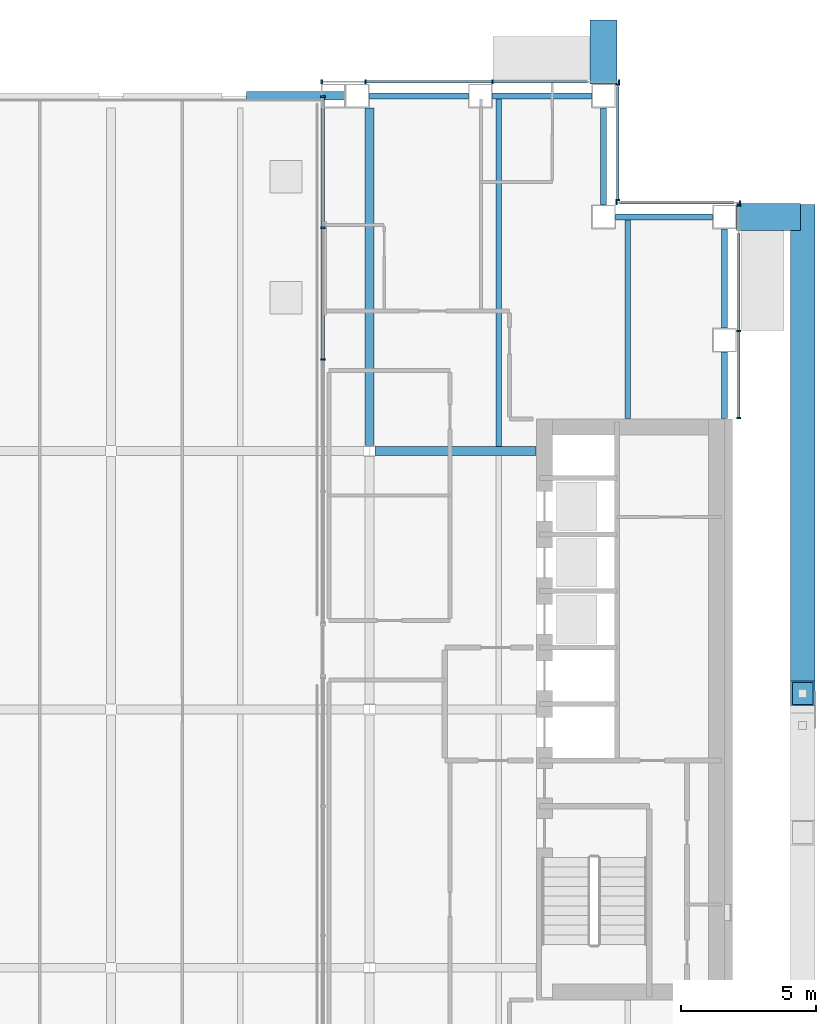
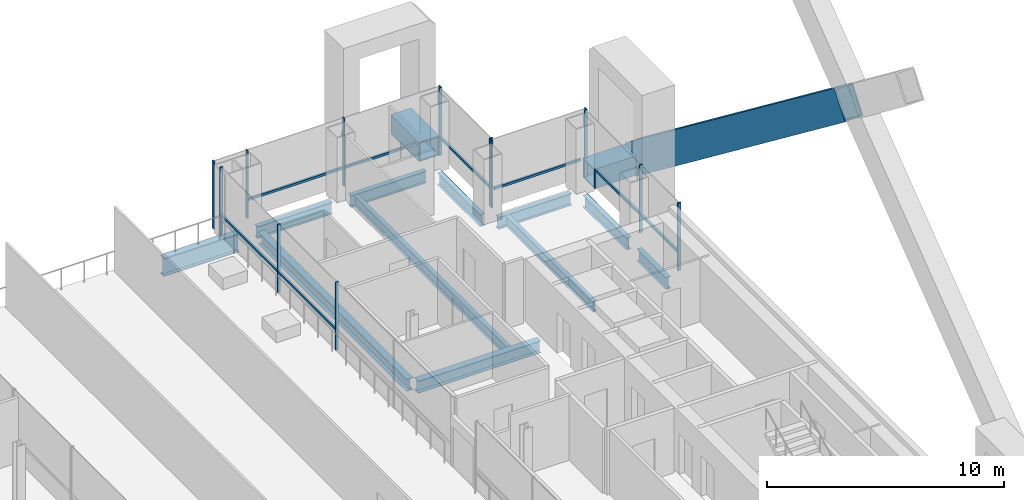
# One storey, part 10 of 20: 23 members, 13 beams, 5 elements without a shape of their own.
"""IFC4 building model written with IfcOpenShell, lengths in metres."""

from ifc_helpers import new_model, si_unit, direction, frame, origin, origin_2d, place, context, subcontext, project, spatial, rectangle, hollow_rectangle, i_section, extrude, material, material_profile, profile_set, type_object, element, aggregate, save


model = new_model("IFC4")

# Units and contexts
model_context = context("Model", 3, precision=1e-05, world=origin(), true_north=direction((0.0, 1.0)))
body_context = subcontext(model_context, "Body", "Model", "MODEL_VIEW")
ifc_project = project(units=[si_unit("LENGTHUNIT", "METRE"), si_unit("AREAUNIT", "SQUARE_METRE"), si_unit("VOLUMEUNIT", "CUBIC_METRE"), si_unit("PLANEANGLEUNIT", "RADIAN"), si_unit("MASSUNIT", "GRAM", prefix="KILO")], contexts=[model_context])

# Site, building, storey
site_placement = place(None, origin())
site = spatial("IfcSite", under=ifc_project, at=site_placement, CompositionType="ELEMENT")
building_placement = place(site_placement, origin())
building = spatial("IfcBuilding", under=site, at=building_placement, Name="Cobrizo Arcos Hotel Tower", CompositionType="ELEMENT")
storey_placement = place(building_placement, frame((0.0, 0.0, 117.0)))
storey = spatial("IfcBuildingStorey", under=building, at=storey_placement, Name="L29", CompositionType="ELEMENT", Elevation=117.0)

# Beams
ifc_material_1 = material(Name="Steel ASTM A572 Grade 50", Category="steel")
ifc_material_profile_1 = material_profile(ifc_material_1, hollow_rectangle(XDim=1.0, YDim=1.0, WallThickness=0.06005859375, at=origin_2d()), Name="BOX 1000X1000X60")
ifc_profile_set_1 = profile_set([ifc_material_profile_1], Name="Steel ASTM A572 Grade 50")
beam_type_1 = type_object("IfcBeamType", Name="BOX 1000X1000X60 brace connector strut", PredefinedType="BEAM", material=ifc_profile_set_1)
for number, where, z_axis, x_axis, name in (
    (1, (18.300048828125, 23.239990234375, 0.5), (0.0, 1.0, 0.0), (-1.0, 0.0, 0.0), "Perimeter brace stub BS1, zone Z2, north face, offset +18.30 m, L29"),
    (2, (23.239990234375, 18.300048828125, 0.5), (1.0, 0.0, 0.0), (0.0, 1.0, 0.0), "Perimeter brace stub BS1, zone Z2, east face, offset +18.30 m, L29"),
):
    element("IfcBeam", number, at=place(storey_placement, frame(where, z_axis=z_axis, x_axis=x_axis)), inside=storey, type_object=beam_type_1, Name=name, PredefinedType="BEAM", context=body_context, shape_type="SweptSolid", body=[
        extrude(hollow_rectangle(XDim=1.0, YDim=1.0, WallThickness=0.06005859375, at=origin_2d()), origin(), (0.0, 0.0, 1.0), 2.380126953125),
    ])

# Member
ifc_material_profile_2 = material_profile(ifc_material_1, hollow_rectangle(XDim=0.89990234375, YDim=1.5, WallThickness=0.06494140625, at=origin_2d()), Name="BOX 900X1500X65")
ifc_profile_set_2 = profile_set([ifc_material_profile_2], Name="Steel ASTM A572 Grade 50")
member_type_1 = type_object("IfcMemberType", Name="BOX 900X1500X65 perimeter brace", PredefinedType="BRACE", material=ifc_profile_set_2)
member_1_placement = place(storey_placement, frame((25.699951171875, 18.300048828125, 0.5), z_axis=(0.0, -0.79423534856, 0.607610246044), x_axis=(1.0, 0.0, 0.0)))
element("IfcMember", 3, at=member_1_placement, inside=storey, type_object=member_type_1, Name="Perimeter brace PBR2, zone Z2, east face, no. 05", PredefinedType="BRACE", context=body_context, shape_type="SweptSolid", body=[
    extrude(hollow_rectangle(XDim=0.89990234375, YDim=1.5, WallThickness=0.06494140625, at=origin_2d()), origin(), (0.0, 0.0, 1.0), 22.294189453125),
])

# Curtain wall, members
ifc_material_2 = material(Name="Aluminium 6063-T6 anodised bronze", Category="aluminium")
curtain_wall_type_1 = type_object("IfcCurtainWallType", Name="CW-A guest facade", PredefinedType="NOTDEFINED", material=ifc_material_2)
curtain_wall_1_placement = place(storey_placement, origin())
curtain_wall_1 = element("IfcCurtainWall", 4, at=curtain_wall_1_placement, inside=storey, type_object=curtain_wall_type_1, Name="CW-A L29 E face", PredefinedType="NOTDEFINED")
ifc_material_profile_3 = material_profile(ifc_material_2, rectangle(XDim=0.14990234375, YDim=0.06005859375, at=origin_2d()), Name="CW-A mullion 150x60")
ifc_profile_set_3 = profile_set([ifc_material_profile_3], Name="Aluminium 6063-T6 anodised bronze")
member_type_2 = type_object("IfcMemberType", Name="CW-A mullion 150x60", PredefinedType="MULLION", material=ifc_profile_set_3)
member_2_placement = place(storey_placement, frame((23.324951171875, 10.830078125, 0.0), z_axis=(0.0, 0.0, 1.0), x_axis=(1.0, 0.0, 0.0)))
member_2 = element("IfcMember", 5, at=member_2_placement, type_object=member_type_2, Name="CW-A mullion 1", PredefinedType="MULLION", context=body_context, shape_type="SweptSolid", body=[
    extrude(rectangle(XDim=0.14990234375, YDim=0.06005859375, at=origin_2d()), origin(), (0.0, 0.0, 1.0), 3.5),
])
member_3_placement = place(storey_placement, frame((23.324951171875, 14.0625, 0.0), z_axis=(0.0, 0.0, 1.0), x_axis=(1.0, 0.0, 0.0)))
member_3 = element("IfcMember", 6, at=member_3_placement, type_object=member_type_2, Name="CW-A mullion 2", PredefinedType="MULLION", context=body_context, shape_type="SweptSolid", body=[
    extrude(rectangle(XDim=0.14990234375, YDim=0.06005859375, at=origin_2d()), origin(), (0.0, 0.0, 1.0), 3.5),
])
member_4_placement = place(storey_placement, frame((23.324951171875, 18.719970703125, 0.0), z_axis=(0.0, 0.0, 1.0), x_axis=(1.0, 0.0, 0.0)))
member_4 = element("IfcMember", 7, at=member_4_placement, type_object=member_type_2, Name="CW-A mullion 3", PredefinedType="MULLION", context=body_context, shape_type="SweptSolid", body=[
    extrude(rectangle(XDim=0.14990234375, YDim=0.06005859375, at=origin_2d()), origin(), (0.0, 0.0, 1.0), 3.5),
])

curtain_wall_2_placement = place(storey_placement, origin())
curtain_wall_2 = element("IfcCurtainWall", 8, at=curtain_wall_2_placement, inside=storey, type_object=curtain_wall_type_1, Name="CW-A L29 N face", PredefinedType="NOTDEFINED")
member_5_placement = place(storey_placement, frame((23.3701171875, 18.824951171875, 0.0), z_axis=(0.0, 0.0, 1.0), x_axis=(0.0, 1.0, 0.0)))
member_5 = element("IfcMember", 9, at=member_5_placement, type_object=member_type_2, Name="CW-A mullion 1", PredefinedType="MULLION", context=body_context, shape_type="SweptSolid", body=[
    extrude(rectangle(XDim=0.14990234375, YDim=0.06005859375, at=origin_2d()), origin(), (0.0, 0.0, 1.0), 3.5),
])
member_6_placement = place(storey_placement, frame((18.780029296875, 18.824951171875, 0.0), z_axis=(0.0, 0.0, 1.0), x_axis=(0.0, 1.0, 0.0)))
member_6 = element("IfcMember", 10, at=member_6_placement, type_object=member_type_2, Name="CW-A mullion 2", PredefinedType="MULLION", context=body_context, shape_type="SweptSolid", body=[
    extrude(rectangle(XDim=0.14990234375, YDim=0.06005859375, at=origin_2d()), origin(), (0.0, 0.0, 1.0), 3.5),
])

curtain_wall_3_placement = place(storey_placement, origin())
curtain_wall_3 = element("IfcCurtainWall", 11, at=curtain_wall_3_placement, inside=storey, type_object=curtain_wall_type_1, Name="CW-A L29 E face", PredefinedType="NOTDEFINED")
member_7_placement = place(storey_placement, frame((18.824951171875, 18.929931640625, 0.0), z_axis=(0.0, 0.0, 1.0), x_axis=(1.0, 0.0, 0.0)))
member_7 = element("IfcMember", 12, at=member_7_placement, type_object=member_type_2, Name="CW-A mullion 1", PredefinedType="MULLION", context=body_context, shape_type="SweptSolid", body=[
    extrude(rectangle(XDim=0.14990234375, YDim=0.06005859375, at=origin_2d()), origin(), (0.0, 0.0, 1.0), 3.5),
])
member_8_placement = place(storey_placement, frame((18.824951171875, 23.219970703125, 0.0), z_axis=(0.0, 0.0, 1.0), x_axis=(1.0, 0.0, 0.0)))
member_8 = element("IfcMember", 13, at=member_8_placement, type_object=member_type_2, Name="CW-A mullion 2", PredefinedType="MULLION", context=body_context, shape_type="SweptSolid", body=[
    extrude(rectangle(XDim=0.14990234375, YDim=0.06005859375, at=origin_2d()), origin(), (0.0, 0.0, 1.0), 3.5),
])

curtain_wall_4_placement = place(storey_placement, origin())
curtain_wall_4 = element("IfcCurtainWall", 14, at=curtain_wall_4_placement, inside=storey, type_object=curtain_wall_type_1, Name="CW-A L29 N face", PredefinedType="NOTDEFINED")
member_9_placement = place(storey_placement, frame((18.8701171875, 23.324951171875, 0.0), z_axis=(0.0, 0.0, 1.0), x_axis=(0.0, 1.0, 0.0)))
member_9 = element("IfcMember", 15, at=member_9_placement, type_object=member_type_2, Name="CW-A mullion 1", PredefinedType="MULLION", context=body_context, shape_type="SweptSolid", body=[
    extrude(rectangle(XDim=0.14990234375, YDim=0.06005859375, at=origin_2d()), origin(), (0.0, 0.0, 1.0), 3.5),
])
member_10_placement = place(storey_placement, frame((14.175048828125, 23.324951171875, 0.0), z_axis=(0.0, 0.0, 1.0), x_axis=(0.0, 1.0, 0.0)))
member_10 = element("IfcMember", 16, at=member_10_placement, type_object=member_type_2, Name="CW-A mullion 2", PredefinedType="MULLION", context=body_context, shape_type="SweptSolid", body=[
    extrude(rectangle(XDim=0.14990234375, YDim=0.06005859375, at=origin_2d()), origin(), (0.0, 0.0, 1.0), 3.5),
])
member_11_placement = place(storey_placement, frame((9.449951171875, 23.324951171875, 0.0), z_axis=(0.0, 0.0, 1.0), x_axis=(0.0, 1.0, 0.0)))
member_11 = element("IfcMember", 17, at=member_11_placement, type_object=member_type_2, Name="CW-A mullion 3", PredefinedType="MULLION", context=body_context, shape_type="SweptSolid", body=[
    extrude(rectangle(XDim=0.14990234375, YDim=0.06005859375, at=origin_2d()), origin(), (0.0, 0.0, 1.0), 3.5),
])
member_12_placement = place(storey_placement, frame((7.830078125, 23.324951171875, 0.0), z_axis=(0.0, 0.0, 1.0), x_axis=(0.0, 1.0, 0.0)))
member_12 = element("IfcMember", 18, at=member_12_placement, type_object=member_type_2, Name="CW-A mullion 4", PredefinedType="MULLION", context=body_context, shape_type="SweptSolid", body=[
    extrude(rectangle(XDim=0.14990234375, YDim=0.06005859375, at=origin_2d()), origin(), (0.0, 0.0, 1.0), 3.5),
])

# Member
ifc_material_profile_4 = material_profile(ifc_material_2, rectangle(XDim=0.10009765625, YDim=0.1201171875, at=origin_2d()), Name="CW-A transom 120x100")
ifc_profile_set_4 = profile_set([ifc_material_profile_4], Name="Aluminium 6063-T6 anodised bronze")
member_type_3 = type_object("IfcMemberType", Name="CW-A transom 120x100", PredefinedType="USERDEFINED", material=ifc_profile_set_4)
member_13_placement = place(storey_placement, frame((23.324951171875, 10.860107421875, 0.929931640625), z_axis=(0.0, 1.0, 0.0), x_axis=(-1.0, 0.0, 0.0)))
member_13 = element("IfcMember", 19, at=member_13_placement, type_object=member_type_3, Name="CW-A transom 1117", ObjectType="TRANSOM", PredefinedType="USERDEFINED", context=body_context, shape_type="SweptSolid", body=[
    extrude(rectangle(XDim=0.10009765625, YDim=0.1201171875, at=origin_2d()), origin(), (0.0, 0.0, 1.0), 3.17236328125),
])

member_14_placement = place(storey_placement, frame((23.324951171875, 14.092529296875, 0.929931640625), z_axis=(0.0, 1.0, 0.0), x_axis=(-1.0, 0.0, 0.0)))
member_14 = element("IfcMember", 20, at=member_14_placement, type_object=member_type_3, Name="CW-A transom 1118", ObjectType="TRANSOM", PredefinedType="USERDEFINED", context=body_context, shape_type="SweptSolid", body=[
    extrude(rectangle(XDim=0.10009765625, YDim=0.1201171875, at=origin_2d()), origin(), (0.0, 0.0, 1.0), 3.607421875),
])

aggregate(curtain_wall_1, [member_2, member_3, member_4, member_13, member_14])

member_15_placement = place(storey_placement, frame((23.139892578125, 18.824951171875, 0.929931640625), z_axis=(-1.0, 0.0, 0.0), x_axis=(0.0, -1.0, 0.0)))
member_15 = element("IfcMember", 21, at=member_15_placement, type_object=member_type_3, Name="CW-A transom 1119", ObjectType="TRANSOM", PredefinedType="USERDEFINED", context=body_context, shape_type="SweptSolid", body=[
    extrude(rectangle(XDim=0.10009765625, YDim=0.1201171875, at=origin_2d()), origin(), (0.0, 0.0, 1.0), 4.239990234375),
])

aggregate(curtain_wall_2, [member_5, member_6, member_15])

member_16_placement = place(storey_placement, frame((18.824951171875, 18.9599609375, 0.929931640625), z_axis=(0.0, 1.0, 0.0), x_axis=(-1.0, 0.0, 0.0)))
member_16 = element("IfcMember", 22, at=member_16_placement, type_object=member_type_3, Name="CW-A transom 1120", ObjectType="TRANSOM", PredefinedType="USERDEFINED", context=body_context, shape_type="SweptSolid", body=[
    extrude(rectangle(XDim=0.10009765625, YDim=0.1201171875, at=origin_2d()), origin(), (0.0, 0.0, 1.0), 4.179931640625),
])

aggregate(curtain_wall_3, [member_7, member_8, member_16])

member_17_placement = place(storey_placement, frame((17.699951171875, 23.324951171875, 0.929931640625), z_axis=(-1.0, 0.0, 0.0), x_axis=(0.0, -1.0, 0.0)))
member_17 = element("IfcMember", 23, at=member_17_placement, type_object=member_type_3, Name="CW-A transom 1121", ObjectType="TRANSOM", PredefinedType="USERDEFINED", context=body_context, shape_type="SweptSolid", body=[
    extrude(rectangle(XDim=0.10009765625, YDim=0.1201171875, at=origin_2d()), origin(), (0.0, 0.0, 1.0), 3.494873046875),
])

member_18_placement = place(storey_placement, frame((14.14501953125, 23.324951171875, 0.929931640625), z_axis=(-1.0, 0.0, 0.0), x_axis=(0.0, -1.0, 0.0)))
member_18 = element("IfcMember", 24, at=member_18_placement, type_object=member_type_3, Name="CW-A transom 1122", ObjectType="TRANSOM", PredefinedType="USERDEFINED", context=body_context, shape_type="SweptSolid", body=[
    extrude(rectangle(XDim=0.10009765625, YDim=0.1201171875, at=origin_2d()), origin(), (0.0, 0.0, 1.0), 4.6650390625),
])

aggregate(curtain_wall_4, [member_9, member_10, member_11, member_12, member_17, member_18])

# Curtain wall, members
curtain_wall_type_2 = type_object("IfcCurtainWallType", Name="CW-F void screen", PredefinedType="NOTDEFINED", material=ifc_material_2)
curtain_wall_5_placement = place(storey_placement, origin())
curtain_wall_5 = element("IfcCurtainWall", 25, at=curtain_wall_5_placement, inside=storey, type_object=curtain_wall_type_2, Name="CW-F L29 void screen B", PredefinedType="NOTDEFINED")
ifc_material_profile_5 = material_profile(ifc_material_2, rectangle(XDim=0.14990234375, YDim=0.06005859375, at=origin_2d()), Name="CW-F mullion 150x60")
ifc_profile_set_5 = profile_set([ifc_material_profile_5], Name="Aluminium 6063-T6 anodised bronze")
member_type_4 = type_object("IfcMemberType", Name="CW-F mullion 150x60", PredefinedType="MULLION", material=ifc_profile_set_5)
member_19_placement = place(storey_placement, frame((7.875, 13.0, 0.0), z_axis=(0.0, 0.0, 1.0), x_axis=(1.0, 0.0, 0.0)))
member_19 = element("IfcMember", 26, at=member_19_placement, type_object=member_type_4, Name="CW-F mullion 3", PredefinedType="MULLION", context=body_context, shape_type="SweptSolid", body=[
    extrude(rectangle(XDim=0.14990234375, YDim=0.06005859375, at=origin_2d()), origin(), (0.0, 0.0, 1.0), 3.5),
])
member_20_placement = place(storey_placement, frame((7.875, 17.89990234375, 0.0), z_axis=(0.0, 0.0, 1.0), x_axis=(1.0, 0.0, 0.0)))
member_20 = element("IfcMember", 27, at=member_20_placement, type_object=member_type_4, Name="CW-F mullion 4", PredefinedType="MULLION", context=body_context, shape_type="SweptSolid", body=[
    extrude(rectangle(XDim=0.14990234375, YDim=0.06005859375, at=origin_2d()), origin(), (0.0, 0.0, 1.0), 3.5),
])
member_21_placement = place(storey_placement, frame((7.875, 22.77001953125, 0.0), z_axis=(0.0, 0.0, 1.0), x_axis=(1.0, 0.0, 0.0)))
member_21 = element("IfcMember", 28, at=member_21_placement, type_object=member_type_4, Name="CW-F mullion 5", PredefinedType="MULLION", context=body_context, shape_type="SweptSolid", body=[
    extrude(rectangle(XDim=0.14990234375, YDim=0.06005859375, at=origin_2d()), origin(), (0.0, 0.0, 1.0), 3.5),
])
ifc_material_profile_6 = material_profile(ifc_material_2, rectangle(XDim=0.10009765625, YDim=0.1201171875, at=origin_2d()), Name="CW-F transom 120x100")
ifc_profile_set_6 = profile_set([ifc_material_profile_6], Name="Aluminium 6063-T6 anodised bronze")
member_type_5 = type_object("IfcMemberType", Name="CW-F transom 120x100", PredefinedType="USERDEFINED", material=ifc_profile_set_6)
member_22_placement = place(storey_placement, frame((7.875, 13.030029296875, 1.050048828125), z_axis=(0.0, 1.0, 0.0), x_axis=(-1.0, 0.0, 0.0)))
member_22 = element("IfcMember", 29, at=member_22_placement, type_object=member_type_5, Name="CW-F transom 2575", ObjectType="TRANSOM", PredefinedType="USERDEFINED", context=body_context, shape_type="SweptSolid", body=[
    extrude(rectangle(XDim=0.10009765625, YDim=0.1201171875, at=origin_2d()), origin(), (0.0, 0.0, 1.0), 4.840087890625),
])
member_23_placement = place(storey_placement, frame((7.875, 17.929931640625, 1.050048828125), z_axis=(0.0, 1.0, 0.0), x_axis=(-1.0, 0.0, 0.0)))
member_23 = element("IfcMember", 30, at=member_23_placement, type_object=member_type_5, Name="CW-F transom 2576", ObjectType="TRANSOM", PredefinedType="USERDEFINED", context=body_context, shape_type="SweptSolid", body=[
    extrude(rectangle(XDim=0.10009765625, YDim=0.1201171875, at=origin_2d()), origin(), (0.0, 0.0, 1.0), 4.81005859375),
])
aggregate(curtain_wall_5, [member_19, member_20, member_21, member_22, member_23])

# Beams
ifc_material_3 = material(Name="Steel ASTM A992 Grade 50", Category="steel")
ifc_material_profile_7 = material_profile(ifc_material_3, i_section(OverallWidth=0.209228515625, OverallDepth=0.533447265625, WebThickness=0.01025390625, FlangeThickness=0.015625, at=origin_2d()), Name="W21X62")
ifc_profile_set_7 = profile_set([ifc_material_profile_7], Name="Steel ASTM A992 Grade 50")
beam_type_2 = type_object("IfcBeamType", Name="W21X62 joist", PredefinedType="JOIST", material=ifc_profile_set_7)
beam_1_placement = place(storey_placement, frame((14.39990234375, 9.763916015625, -0.416748046875), z_axis=(0.0, 1.0, 0.0), x_axis=(-1.0, 0.0, 0.0)))
element("IfcBeam", 31, at=beam_1_placement, inside=storey, type_object=beam_type_2, Name="Floor joist J1, L29, no. 018", PredefinedType="JOIST", context=body_context, shape_type="SweptSolid", body=[
    extrude(i_section(OverallWidth=0.209228515625, OverallDepth=0.533447265625, WebThickness=0.01025390625, FlangeThickness=0.015625, at=origin_2d()), origin(), (0.0, 0.0, 1.0), 12.946044921875),
])
beam_2_placement = place(storey_placement, frame((19.199951171875, 10.81005859375, -0.416748046875), z_axis=(0.0, 1.0, 0.0), x_axis=(-1.0, 0.0, 0.0)))
element("IfcBeam", 32, at=beam_2_placement, inside=storey, type_object=beam_type_2, Name="Floor joist J1, L29, no. 020", PredefinedType="JOIST", context=body_context, shape_type="SweptSolid", body=[
    extrude(i_section(OverallWidth=0.209228515625, OverallDepth=0.533447265625, WebThickness=0.01025390625, FlangeThickness=0.015625, at=origin_2d()), origin(), (0.0, 0.0, 1.0), 7.39990234375),
])
ifc_material_profile_8 = material_profile(ifc_material_3, i_section(OverallWidth=0.32763671875, OverallDepth=0.622314453125, WebThickness=0.015380859375, FlangeThickness=0.0244140625, at=origin_2d()), Name="W24X131")
ifc_profile_set_8 = profile_set([ifc_material_profile_8], Name="Steel ASTM A992 Grade 50")
beam_type_3 = type_object("IfcBeamType", Name="W24X131 girder", PredefinedType="BEAM", material=ifc_profile_set_8)
beam_3_placement = place(storey_placement, frame((9.79931640625, 9.60009765625, -0.461181640625), z_axis=(1.0, 0.0, 0.0), x_axis=(0.0, 1.0, 0.0)))
element("IfcBeam", 33, at=beam_3_placement, inside=storey, type_object=beam_type_3, Name="Floor girder G1, L29, no. 012", PredefinedType="BEAM", context=body_context, shape_type="SweptSolid", body=[
    extrude(i_section(OverallWidth=0.32763671875, OverallDepth=0.622314453125, WebThickness=0.015380859375, FlangeThickness=0.0244140625, at=origin_2d()), origin(), (0.0, 0.0, 1.0), 5.99072265625),
])
beam_4_placement = place(storey_placement, frame((9.60009765625, 9.79931640625, -0.461181640625), z_axis=(0.0, 1.0, 0.0), x_axis=(-1.0, 0.0, 0.0)))
element("IfcBeam", 34, at=beam_4_placement, inside=storey, type_object=beam_type_3, Name="Floor girder G1, L29, no. 024", PredefinedType="BEAM", context=body_context, shape_type="SweptSolid", body=[
    extrude(i_section(OverallWidth=0.32763671875, OverallDepth=0.622314453125, WebThickness=0.015380859375, FlangeThickness=0.0244140625, at=origin_2d()), origin(), (0.0, 0.0, 1.0), 12.55078125),
])
ifc_material_profile_9 = material_profile(ifc_material_3, i_section(OverallWidth=0.23046875, OverallDepth=0.6171875, WebThickness=0.01318359375, FlangeThickness=0.022216796875, at=origin_2d()), Name="W24X94")
ifc_profile_set_9 = profile_set([ifc_material_profile_9], Name="Steel ASTM A992 Grade 50")
beam_type_4 = type_object("IfcBeamType", Name="W24X94 spandrel", PredefinedType="SPANDREL", material=ifc_profile_set_9)
beam_5_placement = place(storey_placement, frame((22.800048828125, 10.81005859375, -0.45849609375), z_axis=(0.0, 1.0, 0.0), x_axis=(-1.0, 0.0, 0.0)))
element("IfcBeam", 35, at=beam_5_placement, inside=storey, type_object=beam_type_4, Name="Spandrel beam W24X94, L29, no. 011", PredefinedType="SPANDREL", context=body_context, shape_type="SweptSolid", body=[
    extrude(i_section(OverallWidth=0.23046875, OverallDepth=0.6171875, WebThickness=0.01318359375, FlangeThickness=0.022216796875, at=origin_2d()), origin(), (0.0, 0.0, 1.0), 2.46484375),
])
beam_6_placement = place(storey_placement, frame((22.800048828125, 14.175048828125, -0.45849609375), z_axis=(0.0, 1.0, 0.0), x_axis=(-1.0, 0.0, 0.0)))
element("IfcBeam", 36, at=beam_6_placement, inside=storey, type_object=beam_type_4, Name="Spandrel beam W24X94, L29, no. 012", PredefinedType="SPANDREL", context=body_context, shape_type="SweptSolid", body=[
    extrude(i_section(OverallWidth=0.23046875, OverallDepth=0.6171875, WebThickness=0.01318359375, FlangeThickness=0.022216796875, at=origin_2d()), origin(), (0.0, 0.0, 1.0), 3.675048828125),
])
for number, where, z_axis, x_axis, name in (
    (37, (22.35009765625, 18.300048828125, -0.45849609375), (-1.0, 0.0, 0.0), (0.0, -1.0, 0.0), "Spandrel beam W24X94, L29, no. 013"),
    (38, (18.300048828125, 18.75, -0.45849609375), (0.0, 1.0, 0.0), (-1.0, 0.0, 0.0), "Spandrel beam W24X94, L29, no. 014"),
):
    element("IfcBeam", number, at=place(storey_placement, frame(where, z_axis=z_axis, x_axis=x_axis)), inside=storey, type_object=beam_type_4, Name=name, PredefinedType="SPANDREL", context=body_context, shape_type="SweptSolid", body=[
        extrude(i_section(OverallWidth=0.23046875, OverallDepth=0.6171875, WebThickness=0.01318359375, FlangeThickness=0.022216796875, at=origin_2d()), origin(), (0.0, 0.0, 1.0), 3.60009765625),
    ])
beam_7_placement = place(storey_placement, frame((17.85009765625, 22.800048828125, -0.45849609375), z_axis=(-1.0, 0.0, 0.0), x_axis=(0.0, -1.0, 0.0)))
element("IfcBeam", 39, at=beam_7_placement, inside=storey, type_object=beam_type_4, Name="Spandrel beam W24X94, L29, no. 015", PredefinedType="SPANDREL", context=body_context, shape_type="SweptSolid", body=[
    extrude(i_section(OverallWidth=0.23046875, OverallDepth=0.6171875, WebThickness=0.01318359375, FlangeThickness=0.022216796875, at=origin_2d()), origin(), (0.0, 0.0, 1.0), 3.675048828125),
])
beam_8_placement = place(storey_placement, frame((13.27490234375, 22.800048828125, -0.45849609375), z_axis=(-1.0, 0.0, 0.0), x_axis=(0.0, -1.0, 0.0)))
element("IfcBeam", 40, at=beam_8_placement, inside=storey, type_object=beam_type_4, Name="Spandrel beam W24X94, L29, no. 016", PredefinedType="SPANDREL", context=body_context, shape_type="SweptSolid", body=[
    extrude(i_section(OverallWidth=0.23046875, OverallDepth=0.6171875, WebThickness=0.01318359375, FlangeThickness=0.022216796875, at=origin_2d()), origin(), (0.0, 0.0, 1.0), 3.6748046875),
])
ifc_material_profile_10 = material_profile(ifc_material_3, i_section(OverallWidth=0.307373046875, OverallDepth=0.9423828125, WebThickness=0.022216796875, FlangeThickness=0.039794921875, at=origin_2d()), Name="W36X232")
ifc_profile_set_10 = profile_set([ifc_material_profile_10], Name="Steel ASTM A992 Grade 50")
beam_type_5 = type_object("IfcBeamType", Name="W36X232 spandrel transfer", PredefinedType="BEAM", material=ifc_profile_set_10)
beam_9_placement = place(storey_placement, frame((8.699951171875, 22.800048828125, -0.62109375), z_axis=(-1.0, 0.0, 0.0), x_axis=(0.0, -1.0, 0.0)))
element("IfcBeam", 41, at=beam_9_placement, inside=storey, type_object=beam_type_5, Name="Spandrel transfer beam ST1, L29, no. 003", PredefinedType="BEAM", context=body_context, shape_type="SweptSolid", body=[
    extrude(i_section(OverallWidth=0.307373046875, OverallDepth=0.9423828125, WebThickness=0.022216796875, FlangeThickness=0.039794921875, at=origin_2d()), origin(), (0.0, 0.0, 1.0), 3.675048828125),
])

save(model, "model.ifc")
